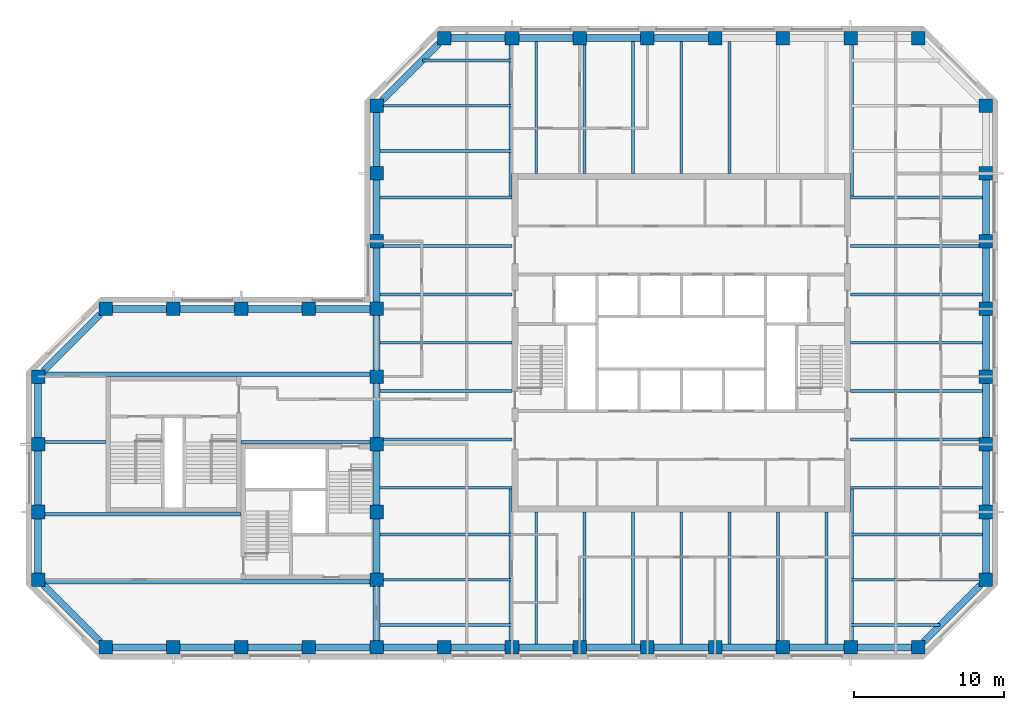
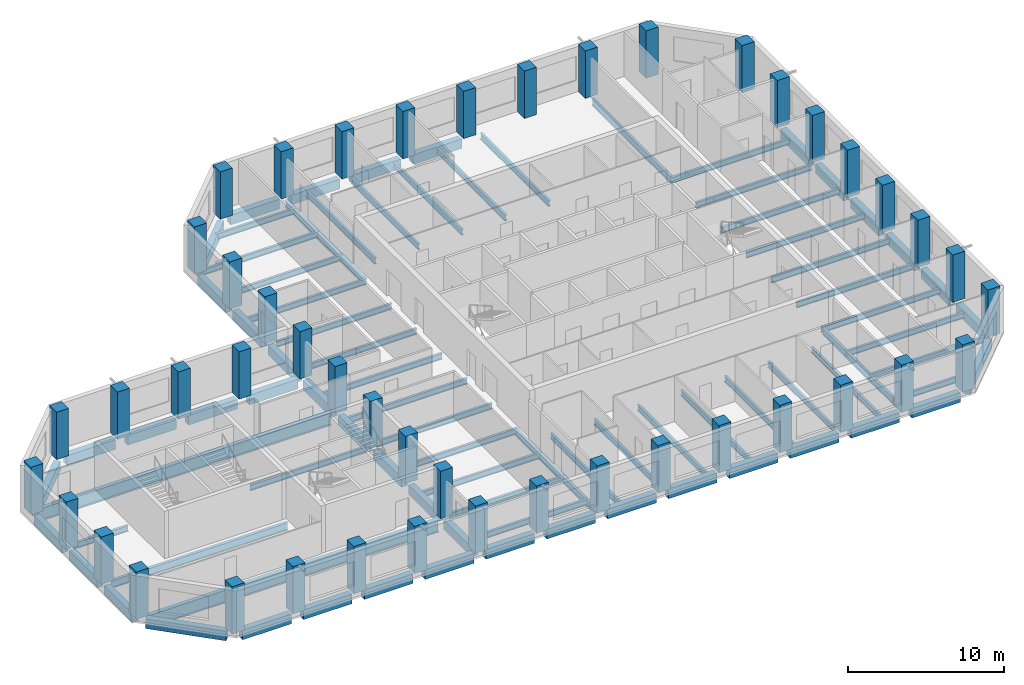
# One storey, part 1 of 9: 85 beams, 45 columns.
"""IFC4 building model written with IfcOpenShell, lengths in metres."""

import ifcopenshell
import ifcopenshell.guid

model = None  # the IFC model being written
_history = None  # IfcOwnerHistory: only IFC2X3 demands one
_inside = {}  # id of a spatial element -> (the spatial element, [elements in it])
_under = {}  # id of a project, library or spatial element -> (it, [spatial elements below it])
_declared = {}  # id of a project -> (the project, [libraries it declares])
_typed = {}  # id of a type object -> (the type object, [elements of that type])
_made_of = {}  # id of a material, layer set ... -> (it, [elements and type objects made of it])


def new_model(schema):
    """Start an empty IFC model of exactly this schema.

    Asked for "IFC4X3", IfcOpenShell would pick the latest addendum, in which some entities
    have other attributes; the version numbers below select the first issue.
    IFC2X3 requires an IfcOwnerHistory on every rooted entity: one is made here for all.
    """
    global model, _history
    if schema == "IFC4X3":
        model = ifcopenshell.file(schema_version=(4, 3, 0, 0))
    else:
        model = ifcopenshell.file(schema=schema)
    _inside.clear()
    _under.clear()
    _declared.clear()
    _typed.clear()
    _made_of.clear()
    _history = None
    if model.schema == "IFC2X3":
        org = make("IfcOrganization", Name="unknown")
        user = make(
            "IfcPersonAndOrganization",
            ThePerson=make("IfcPerson", FamilyName="unknown"),
            TheOrganization=org,
        )
        app = make(
            "IfcApplication",
            ApplicationDeveloper=org,
            Version="unknown",
            ApplicationFullName="unknown",
            ApplicationIdentifier="unknown",
        )
        _history = make(
            "IfcOwnerHistory",
            OwningUser=user,
            OwningApplication=app,
            ChangeAction="ADDED",
            CreationDate=0,
        )
    return model


def make(cls, **values):
    """One entity of the class cls with the attributes given. An attribute that is None is left unset."""
    return model.create_entity(
        cls, **{name: value for name, value in values.items() if value is not None}
    )


def rooted(cls, **values):
    """An entity with a GlobalId (a new one), such as an element, a storey or a relation."""
    return make(cls, GlobalId=ifcopenshell.guid.new(), OwnerHistory=_history, **values)


def si_unit(unit_type, name, prefix=None):
    """IfcSIUnit, for example si_unit("LENGTHUNIT", "METRE", prefix="MILLI")."""
    return make("IfcSIUnit", UnitType=unit_type, Prefix=prefix, Name=name)


def assignment(units):
    """IfcUnitAssignment: the units of a project."""
    return None if units is None else make("IfcUnitAssignment", Units=units)


def point(xyz):
    """IfcCartesianPoint."""
    return None if xyz is None else make("IfcCartesianPoint", Coordinates=xyz)


def direction(xyz):
    """IfcDirection."""
    return None if xyz is None else make("IfcDirection", DirectionRatios=xyz)


def frame(location, z_axis=None, x_axis=None):
    """IfcAxis2Placement3D, a coordinate frame: its origin and axes. An axis left out is left unset."""
    return make(
        "IfcAxis2Placement3D",
        Location=point(location),
        Axis=direction(z_axis),
        RefDirection=direction(x_axis),
    )


def frame_2d(location, x_axis=None):
    """IfcAxis2Placement2D, a coordinate frame in the plane: its origin and x axis."""
    return make(
        "IfcAxis2Placement2D", Location=point(location), RefDirection=direction(x_axis)
    )


def origin():
    """The frame at (0, 0, 0) with its axes left unset."""
    return frame((0.0, 0.0, 0.0))


def origin_2d():
    """The frame at (0, 0) in the plane with its x axis left unset."""
    return frame_2d((0.0, 0.0))


def place(relative_to, where):
    """IfcLocalPlacement: puts the frame where relative to a parent placement (None: the world)."""
    return make(
        "IfcLocalPlacement", PlacementRelTo=relative_to, RelativePlacement=where
    )


def context(
    kind, dimensions, precision=None, world=None, true_north=None, identifier=None
):
    """IfcGeometricRepresentationContext, for example the 3D "Model" context."""
    return make(
        "IfcGeometricRepresentationContext",
        ContextIdentifier=identifier,
        ContextType=kind,
        CoordinateSpaceDimension=dimensions,
        Precision=precision,
        WorldCoordinateSystem=world,
        TrueNorth=true_north,
    )


def subcontext(parent, identifier, kind, view, scale=None):
    """IfcGeometricRepresentationSubContext, for example "Body" below "Model"."""
    return make(
        "IfcGeometricRepresentationSubContext",
        ContextIdentifier=identifier,
        ContextType=kind,
        ParentContext=parent,
        TargetScale=scale,
        TargetView=view,
    )


def project(units=None, contexts=None):
    """IfcProject with its units and contexts."""
    return rooted(
        "IfcProject",
        Name="project",
        RepresentationContexts=contexts,
        UnitsInContext=assignment(units),
    )


def spatial(cls, under=None, at=None, **own):
    """A site, building, storey or space (cls), placed at a placement, below another one or the project."""
    s = rooted(cls, ObjectPlacement=at, **own)
    if under is not None:
        _under.setdefault(under.id(), (under, []))[1].append(s)
    return s


def profile(cls, at=None, kind="AREA", **sizes):
    """A parametric profile (cls). Its sizes go by their IFC names, for example OverallWidth=200.0."""
    return make(cls, ProfileType=kind, Position=at, **sizes)


def rectangle(**sizes):
    """IfcRectangleProfileDef."""
    return profile("IfcRectangleProfileDef", **sizes)


def i_section(**sizes):
    """IfcIShapeProfileDef."""
    return profile("IfcIShapeProfileDef", **sizes)


def extrude(swept, where, along, depth):
    """IfcExtrudedAreaSolid: the profile swept, set in the frame where, extruded along a direction by depth."""
    return make(
        "IfcExtrudedAreaSolid",
        SweptArea=swept,
        Position=where,
        ExtrudedDirection=direction(along),
        Depth=depth,
    )


def shape(context_of_items, identifier, shape_type, items):
    """IfcShapeRepresentation: the items that make up one representation, for example the "Body"."""
    return make(
        "IfcShapeRepresentation",
        ContextOfItems=context_of_items,
        RepresentationIdentifier=identifier,
        RepresentationType=shape_type,
        Items=items,
    )


def material(Name=None, Category=None):
    """IfcMaterial."""
    return make("IfcMaterial", Name=Name, Category=Category)


def material_profile(
    of_material, cross_section, Name=None, Category=None, Priority=None
):
    """IfcMaterialProfile: a cross section and its material."""
    return make(
        "IfcMaterialProfile",
        Name=Name,
        Material=of_material,
        Profile=cross_section,
        Priority=Priority,
        Category=Category,
    )


def profile_set(profiles, Name=None, composite=None):
    """IfcMaterialProfileSet."""
    return make(
        "IfcMaterialProfileSet",
        Name=Name,
        MaterialProfiles=profiles,
        CompositeProfile=composite,
    )


def made_of(thing, what):
    """Note that an element or type object is made of a material, layer set ...; save() writes the relation."""
    if what is not None:
        _made_of.setdefault(what.id(), (what, []))[1].append(thing)
    return thing


def type_object(cls, material=None, **own):
    """A type object (cls), such as IfcWallType, which elements share."""
    return made_of(rooted(cls, **own), material)


def element(
    cls,
    number,
    at=None,
    inside=None,
    cuts=None,
    type_object=None,
    material=None,
    context=None,
    identifier="Body",
    shape_type=None,
    held_by="IfcProductDefinitionShape",
    body=None,
    shapes=None,
    **own,
):
    """One element of the class cls, such as IfcWall. Its Tag is "e" and its number.

    at: its placement. inside: the storey or other place that contains it. cuts: it is an
    opening in that element (IfcRelVoidsElement). A single representation is given by context,
    identifier, shape_type and body (its items); several are given by shapes. held_by: the class
    of the entity that holds the representations. save() writes the other relations.
    """
    e = rooted(cls, Tag="e%d" % number, ObjectPlacement=at, **own)
    if body is not None:
        shapes = [shape(context, identifier, shape_type, body)]
    if shapes is not None:
        e.Representation = make(held_by, Representations=shapes)
    if inside is not None:
        _inside.setdefault(inside.id(), (inside, []))[1].append(e)
    if cuts is not None:
        rooted(
            "IfcRelVoidsElement", RelatingBuildingElement=cuts, RelatedOpeningElement=e
        )
    if type_object is not None:
        _typed.setdefault(type_object.id(), (type_object, []))[1].append(e)
    return made_of(e, material)


def aggregate(whole, parts):
    """IfcRelAggregates: a whole, such as a stair, and the parts it consists of."""
    return rooted("IfcRelAggregates", RelatingObject=whole, RelatedObjects=parts)


def save(model, path):
    """Write the relations noted so far, then the file.

    IfcRelAggregates (storeys below a building ...), IfcRelContainedInSpatialStructure (elements
    in a storey), IfcRelDefinesByType, IfcRelAssociatesMaterial and IfcRelDeclares: one each for
    every whole, place, type object, material and project.
    """
    for whole, parts in _under.values():
        aggregate(whole, parts)
    for where, things in _inside.values():
        rooted(
            "IfcRelContainedInSpatialStructure",
            RelatedElements=things,
            RelatingStructure=where,
        )
    for kind, things in _typed.values():
        rooted("IfcRelDefinesByType", RelatedObjects=things, RelatingType=kind)
    for what, things in _made_of.values():
        rooted("IfcRelAssociatesMaterial", RelatedObjects=things, RelatingMaterial=what)
    for by, libraries in _declared.values():
        rooted("IfcRelDeclares", RelatingContext=by, RelatedDefinitions=libraries)
    model.write(path)


model = new_model("IFC4")

# Units and contexts
model_context = context("Model", 3, precision=1e-05, world=origin(), true_north=direction((0.0, 1.0)))
body_context = subcontext(model_context, "Body", "Model", "MODEL_VIEW")
ifc_project = project(units=[si_unit("LENGTHUNIT", "METRE"), si_unit("AREAUNIT", "SQUARE_METRE"), si_unit("VOLUMEUNIT", "CUBIC_METRE"), si_unit("PLANEANGLEUNIT", "RADIAN"), si_unit("MASSUNIT", "GRAM", prefix="KILO")], contexts=[model_context])

# Site, building, storey
site_placement = place(None, origin())
site = spatial("IfcSite", under=ifc_project, at=site_placement, CompositionType="ELEMENT")
building_placement = place(site_placement, origin())
building = spatial("IfcBuilding", under=site, at=building_placement, Name="Quoin Convention Tower", CompositionType="ELEMENT")
storey_placement = place(building_placement, frame((0.0, 0.0, 199.5)))
storey = spatial("IfcBuildingStorey", under=building, at=storey_placement, Name="L52", CompositionType="ELEMENT", Elevation=199.5)

# Columns
ifc_material_1 = material(Name="Concrete C50", Category="concrete")
ifc_material_profile_1 = material_profile(ifc_material_1, rectangle(XDim=0.89990234375, YDim=0.89990234375, at=origin_2d()), Name="RC 900x900")
ifc_profile_set_1 = profile_set([ifc_material_profile_1], Name="Concrete C50")
column_type = type_object("IfcColumnType", Name="RC 900x900 C50", PredefinedType="COLUMN", material=ifc_profile_set_1)
for number, where, z_axis, x_axis, name in (
    (1, (18.0, 40.5, 0.0), (0.0, 0.0, 1.0), (1.0, 0.0, 0.0), "col-L52-18000_40500"),
    (2, (22.5, 40.5, 0.0), (0.0, 0.0, 1.0), (1.0, 0.0, 0.0), "col-L52-22500_40500"),
    (3, (27.0, 40.5, 0.0), (0.0, 0.0, 1.0), (1.0, 0.0, 0.0), "col-L52-27000_40500"),
    (4, (31.5, 40.5, 0.0), (0.0, 0.0, 1.0), (1.0, 0.0, 0.0), "col-L52-31500_40500"),
    (5, (36.0, 40.5, 0.0), (0.0, 0.0, 1.0), (1.0, 0.0, 0.0), "col-L52-36000_40500"),
    (6, (40.5, 40.5, 0.0), (0.0, 0.0, 1.0), (1.0, 0.0, 0.0), "col-L52-40500_40500"),
    (7, (45.0, 40.5, 0.0), (0.0, 0.0, 1.0), (1.0, 0.0, 0.0), "col-L52-45000_40500"),
    (8, (49.5, 40.5, 0.0), (0.0, 0.0, 1.0), (1.0, 0.0, 0.0), "col-L52-49500_40500"),
    (9, (54.0, 40.5, 0.0), (0.0, 0.0, 1.0), (1.0, 0.0, 0.0), "col-L52-54000_40500"),
    (10, (58.5, 40.5, 0.0), (0.0, 0.0, 1.0), (1.0, 0.0, 0.0), "col-L52-58500_40500"),
    (11, (63.0, 40.5, 0.0), (0.0, 0.0, 1.0), (1.0, 0.0, 0.0), "col-L52-63000_40500"),
    (12, (67.5, 40.5, 0.0), (0.0, 0.0, 1.0), (1.0, 0.0, 0.0), "col-L52-67500_40500"),
    (13, (72.0, 40.5, 0.0), (0.0, 0.0, 1.0), (1.0, 0.0, 0.0), "col-L52-72000_40500"),
    (14, (13.5, 45.0, 0.0), (0.0, 0.0, 1.0), (1.0, 0.0, 0.0), "col-L52-13500_45000"),
    (15, (36.0, 45.0, 0.0), (0.0, 0.0, 1.0), (1.0, 0.0, 0.0), "web-L52-36000_45000"),
    (16, (76.5, 45.0, 0.0), (0.0, 0.0, 1.0), (1.0, 0.0, 0.0), "col-L52-76500_45000"),
    (17, (13.5, 49.5, 0.0), (0.0, 0.0, 1.0), (1.0, 0.0, 0.0), "col-L52-13500_49500"),
    (18, (36.0, 49.5, 0.0), (0.0, 0.0, 1.0), (1.0, 0.0, 0.0), "web-L52-36000_49500"),
    (19, (76.5, 49.5, 0.0), (0.0, 0.0, 1.0), (1.0, 0.0, 0.0), "col-L52-76500_49500"),
    (20, (13.5, 54.0, 0.0), (0.0, 0.0, 1.0), (1.0, 0.0, 0.0), "col-L52-13500_54000"),
    (21, (36.0, 54.0, 0.0), (0.0, 0.0, 1.0), (1.0, 0.0, 0.0), "web-L52-36000_54000"),
    (22, (76.5, 54.0, 0.0), (0.0, 0.0, 1.0), (1.0, 0.0, 0.0), "col-L52-76500_54000"),
    (23, (13.5, 58.5, 0.0), (0.0, 0.0, 1.0), (1.0, 0.0, 0.0), "col-L52-13500_58500"),
    (24, (36.0, 58.5, 0.0), (0.0, 0.0, 1.0), (1.0, 0.0, 0.0), "web-L52-36000_58500"),
    (25, (76.5, 58.5, 0.0), (0.0, 0.0, 1.0), (1.0, 0.0, 0.0), "col-L52-76500_58500"),
    (26, (18.0, 63.0, 0.0), (0.0, 0.0, 1.0), (1.0, 0.0, 0.0), "col-L52-18000_63000"),
    (27, (22.5, 63.0, 0.0), (0.0, 0.0, 1.0), (1.0, 0.0, 0.0), "col-L52-22500_63000"),
    (28, (27.0, 63.0, 0.0), (0.0, 0.0, 1.0), (1.0, 0.0, 0.0), "col-L52-27000_63000"),
    (29, (31.5, 63.0, 0.0), (0.0, 0.0, 1.0), (1.0, 0.0, 0.0), "col-L52-31500_63000"),
    (30, (36.0, 63.0, 0.0), (0.0, 0.0, 1.0), (1.0, 0.0, 0.0), "col-L52-36000_63000"),
    (31, (76.5, 63.0, 0.0), (0.0, 0.0, 1.0), (1.0, 0.0, 0.0), "col-L52-76500_63000"),
    (32, (36.0, 67.5, 0.0), (0.0, 0.0, 1.0), (1.0, 0.0, 0.0), "col-L52-36000_67500"),
    (33, (76.5, 67.5, 0.0), (0.0, 0.0, 1.0), (1.0, 0.0, 0.0), "col-L52-76500_67500"),
    (34, (36.0, 72.0, 0.0), (0.0, 0.0, 1.0), (1.0, 0.0, 0.0), "col-L52-36000_72000"),
    (35, (76.5, 72.0, 0.0), (0.0, 0.0, 1.0), (1.0, 0.0, 0.0), "col-L52-76500_72000"),
    (36, (36.0, 76.5, 0.0), (0.0, 0.0, 1.0), (1.0, 0.0, 0.0), "col-L52-36000_76500"),
    (37, (76.5, 76.5, 0.0), (0.0, 0.0, 1.0), (1.0, 0.0, 0.0), "col-L52-76500_76500"),
    (38, (40.5, 81.0, 0.0), (0.0, 0.0, 1.0), (1.0, 0.0, 0.0), "col-L52-40500_81000"),
    (39, (45.0, 81.0, 0.0), (0.0, 0.0, 1.0), (1.0, 0.0, 0.0), "col-L52-45000_81000"),
    (40, (49.5, 81.0, 0.0), (0.0, 0.0, 1.0), (1.0, 0.0, 0.0), "col-L52-49500_81000"),
    (41, (54.0, 81.0, 0.0), (0.0, 0.0, 1.0), (1.0, 0.0, 0.0), "col-L52-54000_81000"),
    (42, (58.5, 81.0, 0.0), (0.0, 0.0, 1.0), (1.0, 0.0, 0.0), "col-L52-58500_81000"),
    (43, (63.0, 81.0, 0.0), (0.0, 0.0, 1.0), (1.0, 0.0, 0.0), "col-L52-63000_81000"),
    (44, (67.5, 81.0, 0.0), (0.0, 0.0, 1.0), (1.0, 0.0, 0.0), "col-L52-67500_81000"),
    (45, (72.0, 81.0, 0.0), (0.0, 0.0, 1.0), (1.0, 0.0, 0.0), "col-L52-72000_81000"),
):
    element("IfcColumn", number, at=place(storey_placement, frame(where, z_axis=z_axis, x_axis=x_axis)), inside=storey, type_object=column_type, Name=name, PredefinedType="COLUMN", context=body_context, shape_type="SweptSolid", body=[
        extrude(rectangle(XDim=0.89990234375, YDim=0.89990234375, at=origin_2d()), origin(), (0.0, 0.0, 1.0), 3.699951171875),
    ])

# Beams
ifc_material_2 = material(Name="Steel Grade 300", Category="steel")
ifc_material_profile_2 = material_profile(ifc_material_2, i_section(OverallWidth=0.300048828125, OverallDepth=1.0, WebThickness=0.01611328125, FlangeThickness=0.02001953125, at=origin_2d()), Name="1000WB215")
ifc_profile_set_2 = profile_set([ifc_material_profile_2], Name="Steel Grade 300")
beam_type_1 = type_object("IfcBeamType", Name="1000WB215", PredefinedType="BEAM", material=ifc_profile_set_2)
for number, where, z_axis, x_axis, name in (
    (46, (13.949951171875, 44.85009765625, -0.64990234375), (1.0, 0.0, 0.0), (0.0, 1.0, 0.0), "gir-L52-ST2-1-0"),
    (47, (13.949951171875, 58.64990234375, -0.64990234375), (1.0, 0.0, 0.0), (0.0, 1.0, 0.0), "gir-L52-ST2-4-0"),
):
    element("IfcBeam", number, at=place(storey_placement, frame(where, z_axis=z_axis, x_axis=x_axis)), inside=storey, type_object=beam_type_1, Name=name, PredefinedType="BEAM", context=body_context, shape_type="SweptSolid", body=[
        extrude(i_section(OverallWidth=0.300048828125, OverallDepth=1.0, WebThickness=0.01611328125, FlangeThickness=0.02001953125, at=origin_2d()), origin(), (0.0, 0.0, 1.0), 21.60009765625),
    ])
ifc_material_profile_3 = material_profile(ifc_material_2, i_section(OverallWidth=0.18994140625, OverallDepth=0.4541015625, WebThickness=0.008544921875, FlangeThickness=0.0126953125, FilletRadius=0.011474609375, at=origin_2d()), Name="460UB67.1")
ifc_profile_set_3 = profile_set([ifc_material_profile_3], Name="Steel Grade 300")
beam_type_2 = type_object("IfcBeamType", Name="460UB67.1", PredefinedType="BEAM", material=ifc_profile_set_3)
beam_1_placement = place(storey_placement, frame((36.22509765625, 51.107177734375, -0.376953125), z_axis=(1.0, 0.0, 0.0), x_axis=(0.0, 1.0, 0.0)))
element("IfcBeam", 48, at=beam_1_placement, inside=storey, type_object=beam_type_2, Name="bm-L52-T1W0", PredefinedType="BEAM", context=body_context, shape_type="SweptSolid", body=[
    extrude(i_section(OverallWidth=0.18994140625, OverallDepth=0.4541015625, WebThickness=0.008544921875, FlangeThickness=0.0126953125, FilletRadius=0.011474609375, at=origin_2d()), origin(), (0.0, 0.0, 1.0), 8.77490234375),
])
beam_2_placement = place(storey_placement, frame((36.449951171875, 54.3212890625, -0.376953125), z_axis=(1.0, 0.0, 0.0), x_axis=(0.0, 1.0, 0.0)))
element("IfcBeam", 49, at=beam_2_placement, inside=storey, type_object=beam_type_2, Name="bm-L52-T1W1", PredefinedType="BEAM", context=body_context, shape_type="SweptSolid", body=[
    extrude(i_section(OverallWidth=0.18994140625, OverallDepth=0.4541015625, WebThickness=0.008544921875, FlangeThickness=0.0126953125, FilletRadius=0.011474609375, at=origin_2d()), origin(), (0.0, 0.0, 1.0), 8.550048828125),
])
for number, where, z_axis, x_axis, name in (
    (50, (36.22509765625, 57.53564453125, -0.376953125), (1.0, 0.0, 0.0), (0.0, 1.0, 0.0), "bm-L52-T1W2"),
    (51, (36.22509765625, 60.75, -0.376953125), (1.0, 0.0, 0.0), (0.0, 1.0, 0.0), "bm-L52-T1W3"),
    (52, (36.22509765625, 63.96435546875, -0.376953125), (1.0, 0.0, 0.0), (0.0, 1.0, 0.0), "bm-L52-T1W4"),
):
    element("IfcBeam", number, at=place(storey_placement, frame(where, z_axis=z_axis, x_axis=x_axis)), inside=storey, type_object=beam_type_2, Name=name, PredefinedType="BEAM", context=body_context, shape_type="SweptSolid", body=[
        extrude(i_section(OverallWidth=0.18994140625, OverallDepth=0.4541015625, WebThickness=0.008544921875, FlangeThickness=0.0126953125, FilletRadius=0.011474609375, at=origin_2d()), origin(), (0.0, 0.0, 1.0), 8.77490234375),
    ])
beam_3_placement = place(storey_placement, frame((36.449951171875, 67.1787109375, -0.376953125), z_axis=(1.0, 0.0, 0.0), x_axis=(0.0, 1.0, 0.0)))
element("IfcBeam", 53, at=beam_3_placement, inside=storey, type_object=beam_type_2, Name="bm-L52-T1W5", PredefinedType="BEAM", context=body_context, shape_type="SweptSolid", body=[
    extrude(i_section(OverallWidth=0.18994140625, OverallDepth=0.4541015625, WebThickness=0.008544921875, FlangeThickness=0.0126953125, FilletRadius=0.011474609375, at=origin_2d()), origin(), (0.0, 0.0, 1.0), 8.550048828125),
])
for number, where, z_axis, x_axis, name in (
    (54, (36.22509765625, 70.392822265625, -0.376953125), (1.0, 0.0, 0.0), (0.0, 1.0, 0.0), "bm-L52-T1W6"),
    (55, (67.5, 51.107177734375, -0.376953125), (1.0, 0.0, 0.0), (0.0, 1.0, 0.0), "bm-L52-T1E0"),
):
    element("IfcBeam", number, at=place(storey_placement, frame(where, z_axis=z_axis, x_axis=x_axis)), inside=storey, type_object=beam_type_2, Name=name, PredefinedType="BEAM", context=body_context, shape_type="SweptSolid", body=[
        extrude(i_section(OverallWidth=0.18994140625, OverallDepth=0.4541015625, WebThickness=0.008544921875, FlangeThickness=0.0126953125, FilletRadius=0.011474609375, at=origin_2d()), origin(), (0.0, 0.0, 1.0), 8.77490234375),
    ])
beam_4_placement = place(storey_placement, frame((67.5, 54.3212890625, -0.376953125), z_axis=(1.0, 0.0, 0.0), x_axis=(0.0, 1.0, 0.0)))
element("IfcBeam", 56, at=beam_4_placement, inside=storey, type_object=beam_type_2, Name="bm-L52-T1E1", PredefinedType="BEAM", context=body_context, shape_type="SweptSolid", body=[
    extrude(i_section(OverallWidth=0.18994140625, OverallDepth=0.4541015625, WebThickness=0.008544921875, FlangeThickness=0.0126953125, FilletRadius=0.011474609375, at=origin_2d()), origin(), (0.0, 0.0, 1.0), 8.550048828125),
])
for number, where, z_axis, x_axis, name in (
    (57, (67.5, 57.53564453125, -0.376953125), (1.0, 0.0, 0.0), (0.0, 1.0, 0.0), "bm-L52-T1E2"),
    (58, (67.5, 60.75, -0.376953125), (1.0, 0.0, 0.0), (0.0, 1.0, 0.0), "bm-L52-T1E3"),
    (59, (67.5, 63.96435546875, -0.376953125), (1.0, 0.0, 0.0), (0.0, 1.0, 0.0), "bm-L52-T1E4"),
):
    element("IfcBeam", number, at=place(storey_placement, frame(where, z_axis=z_axis, x_axis=x_axis)), inside=storey, type_object=beam_type_2, Name=name, PredefinedType="BEAM", context=body_context, shape_type="SweptSolid", body=[
        extrude(i_section(OverallWidth=0.18994140625, OverallDepth=0.4541015625, WebThickness=0.008544921875, FlangeThickness=0.0126953125, FilletRadius=0.011474609375, at=origin_2d()), origin(), (0.0, 0.0, 1.0), 8.77490234375),
    ])
beam_5_placement = place(storey_placement, frame((67.5, 67.1787109375, -0.376953125), z_axis=(1.0, 0.0, 0.0), x_axis=(0.0, 1.0, 0.0)))
element("IfcBeam", 60, at=beam_5_placement, inside=storey, type_object=beam_type_2, Name="bm-L52-T1E5", PredefinedType="BEAM", context=body_context, shape_type="SweptSolid", body=[
    extrude(i_section(OverallWidth=0.18994140625, OverallDepth=0.4541015625, WebThickness=0.008544921875, FlangeThickness=0.0126953125, FilletRadius=0.011474609375, at=origin_2d()), origin(), (0.0, 0.0, 1.0), 8.550048828125),
])
for number, where, z_axis, x_axis, name in (
    (61, (67.5, 70.392822265625, -0.376953125), (1.0, 0.0, 0.0), (0.0, 1.0, 0.0), "bm-L52-T1E6"),
    (62, (46.607177734375, 40.72509765625, -0.376953125), (0.0, 1.0, 0.0), (-1.0, 0.0, 0.0), "bm-L52-T1S0"),
):
    element("IfcBeam", number, at=place(storey_placement, frame(where, z_axis=z_axis, x_axis=x_axis)), inside=storey, type_object=beam_type_2, Name=name, PredefinedType="BEAM", context=body_context, shape_type="SweptSolid", body=[
        extrude(i_section(OverallWidth=0.18994140625, OverallDepth=0.4541015625, WebThickness=0.008544921875, FlangeThickness=0.0126953125, FilletRadius=0.011474609375, at=origin_2d()), origin(), (0.0, 0.0, 1.0), 8.77490234375),
    ])
beam_6_placement = place(storey_placement, frame((49.8212890625, 40.949951171875, -0.376953125), z_axis=(0.0, 1.0, 0.0), x_axis=(-1.0, 0.0, 0.0)))
element("IfcBeam", 63, at=beam_6_placement, inside=storey, type_object=beam_type_2, Name="bm-L52-T1S1", PredefinedType="BEAM", context=body_context, shape_type="SweptSolid", body=[
    extrude(i_section(OverallWidth=0.18994140625, OverallDepth=0.4541015625, WebThickness=0.008544921875, FlangeThickness=0.0126953125, FilletRadius=0.011474609375, at=origin_2d()), origin(), (0.0, 0.0, 1.0), 8.550048828125),
])
for number, where, z_axis, x_axis, name in (
    (64, (53.03564453125, 40.72509765625, -0.376953125), (0.0, 1.0, 0.0), (-1.0, 0.0, 0.0), "bm-L52-T1S2"),
    (65, (56.25, 40.72509765625, -0.376953125), (0.0, 1.0, 0.0), (-1.0, 0.0, 0.0), "bm-L52-T1S3"),
    (66, (59.46435546875, 40.72509765625, -0.376953125), (0.0, 1.0, 0.0), (-1.0, 0.0, 0.0), "bm-L52-T1S4"),
):
    element("IfcBeam", number, at=place(storey_placement, frame(where, z_axis=z_axis, x_axis=x_axis)), inside=storey, type_object=beam_type_2, Name=name, PredefinedType="BEAM", context=body_context, shape_type="SweptSolid", body=[
        extrude(i_section(OverallWidth=0.18994140625, OverallDepth=0.4541015625, WebThickness=0.008544921875, FlangeThickness=0.0126953125, FilletRadius=0.011474609375, at=origin_2d()), origin(), (0.0, 0.0, 1.0), 8.77490234375),
    ])
beam_7_placement = place(storey_placement, frame((62.6787109375, 40.949951171875, -0.376953125), z_axis=(0.0, 1.0, 0.0), x_axis=(-1.0, 0.0, 0.0)))
element("IfcBeam", 67, at=beam_7_placement, inside=storey, type_object=beam_type_2, Name="bm-L52-T1S5", PredefinedType="BEAM", context=body_context, shape_type="SweptSolid", body=[
    extrude(i_section(OverallWidth=0.18994140625, OverallDepth=0.4541015625, WebThickness=0.008544921875, FlangeThickness=0.0126953125, FilletRadius=0.011474609375, at=origin_2d()), origin(), (0.0, 0.0, 1.0), 8.550048828125),
])
for number, where, z_axis, x_axis, name in (
    (68, (65.892822265625, 40.72509765625, -0.376953125), (0.0, 1.0, 0.0), (-1.0, 0.0, 0.0), "bm-L52-T1S6"),
    (69, (46.607177734375, 72.0, -0.376953125), (0.0, 1.0, 0.0), (-1.0, 0.0, 0.0), "bm-L52-T1N0"),
):
    element("IfcBeam", number, at=place(storey_placement, frame(where, z_axis=z_axis, x_axis=x_axis)), inside=storey, type_object=beam_type_2, Name=name, PredefinedType="BEAM", context=body_context, shape_type="SweptSolid", body=[
        extrude(i_section(OverallWidth=0.18994140625, OverallDepth=0.4541015625, WebThickness=0.008544921875, FlangeThickness=0.0126953125, FilletRadius=0.011474609375, at=origin_2d()), origin(), (0.0, 0.0, 1.0), 8.77490234375),
    ])
beam_8_placement = place(storey_placement, frame((49.8212890625, 72.0, -0.376953125), z_axis=(0.0, 1.0, 0.0), x_axis=(-1.0, 0.0, 0.0)))
element("IfcBeam", 70, at=beam_8_placement, inside=storey, type_object=beam_type_2, Name="bm-L52-T1N1", PredefinedType="BEAM", context=body_context, shape_type="SweptSolid", body=[
    extrude(i_section(OverallWidth=0.18994140625, OverallDepth=0.4541015625, WebThickness=0.008544921875, FlangeThickness=0.0126953125, FilletRadius=0.011474609375, at=origin_2d()), origin(), (0.0, 0.0, 1.0), 8.550048828125),
])
for number, where, z_axis, x_axis, name in (
    (71, (53.03564453125, 72.0, -0.376953125), (0.0, 1.0, 0.0), (-1.0, 0.0, 0.0), "bm-L52-T1N2"),
    (72, (56.25, 72.0, -0.376953125), (0.0, 1.0, 0.0), (-1.0, 0.0, 0.0), "bm-L52-T1N3"),
    (73, (59.46435546875, 72.0, -0.376953125), (0.0, 1.0, 0.0), (-1.0, 0.0, 0.0), "bm-L52-T1N4"),
    (74, (36.22509765625, 42.0, -0.376953125), (1.0, 0.0, 0.0), (0.0, 1.0, 0.0), "bm-L52-T1SW0"),
):
    element("IfcBeam", number, at=place(storey_placement, frame(where, z_axis=z_axis, x_axis=x_axis)), inside=storey, type_object=beam_type_2, Name=name, PredefinedType="BEAM", context=body_context, shape_type="SweptSolid", body=[
        extrude(i_section(OverallWidth=0.18994140625, OverallDepth=0.4541015625, WebThickness=0.008544921875, FlangeThickness=0.0126953125, FilletRadius=0.011474609375, at=origin_2d()), origin(), (0.0, 0.0, 1.0), 8.77490234375),
    ])
beam_9_placement = place(storey_placement, frame((36.449951171875, 45.0, -0.376953125), z_axis=(1.0, 0.0, 0.0), x_axis=(0.0, 1.0, 0.0)))
element("IfcBeam", 75, at=beam_9_placement, inside=storey, type_object=beam_type_2, Name="bm-L52-T1SW1", PredefinedType="BEAM", context=body_context, shape_type="SweptSolid", body=[
    extrude(i_section(OverallWidth=0.18994140625, OverallDepth=0.4541015625, WebThickness=0.008544921875, FlangeThickness=0.0126953125, FilletRadius=0.011474609375, at=origin_2d()), origin(), (0.0, 0.0, 1.0), 8.550048828125),
])
beam_10_placement = place(storey_placement, frame((36.22509765625, 48.0, -0.376953125), z_axis=(1.0, 0.0, 0.0), x_axis=(0.0, 1.0, 0.0)))
element("IfcBeam", 76, at=beam_10_placement, inside=storey, type_object=beam_type_2, Name="bm-L52-T1SW2", PredefinedType="BEAM", context=body_context, shape_type="SweptSolid", body=[
    extrude(i_section(OverallWidth=0.18994140625, OverallDepth=0.4541015625, WebThickness=0.008544921875, FlangeThickness=0.0126953125, FilletRadius=0.011474609375, at=origin_2d()), origin(), (0.0, 0.0, 1.0), 8.77490234375),
])
beam_11_placement = place(storey_placement, frame((67.5, 42.0, -0.376953125), z_axis=(1.0, 0.0, 0.0), x_axis=(0.0, 1.0, 0.0)))
element("IfcBeam", 77, at=beam_11_placement, inside=storey, type_object=beam_type_2, Name="bm-L52-T1SE0", PredefinedType="BEAM", context=body_context, shape_type="SweptSolid", body=[
    extrude(i_section(OverallWidth=0.18994140625, OverallDepth=0.4541015625, WebThickness=0.008544921875, FlangeThickness=0.0126953125, FilletRadius=0.011474609375, at=origin_2d()), origin(), (0.0, 0.0, 1.0), 5.935791015625),
])
beam_12_placement = place(storey_placement, frame((67.5, 45.0, -0.376953125), z_axis=(1.0, 0.0, 0.0), x_axis=(0.0, 1.0, 0.0)))
element("IfcBeam", 78, at=beam_12_placement, inside=storey, type_object=beam_type_2, Name="bm-L52-T1SE1", PredefinedType="BEAM", context=body_context, shape_type="SweptSolid", body=[
    extrude(i_section(OverallWidth=0.18994140625, OverallDepth=0.4541015625, WebThickness=0.008544921875, FlangeThickness=0.0126953125, FilletRadius=0.011474609375, at=origin_2d()), origin(), (0.0, 0.0, 1.0), 8.550048828125),
])
beam_13_placement = place(storey_placement, frame((67.5, 48.0, -0.376953125), z_axis=(1.0, 0.0, 0.0), x_axis=(0.0, 1.0, 0.0)))
element("IfcBeam", 79, at=beam_13_placement, inside=storey, type_object=beam_type_2, Name="bm-L52-T1SE2", PredefinedType="BEAM", context=body_context, shape_type="SweptSolid", body=[
    extrude(i_section(OverallWidth=0.18994140625, OverallDepth=0.4541015625, WebThickness=0.008544921875, FlangeThickness=0.0126953125, FilletRadius=0.011474609375, at=origin_2d()), origin(), (0.0, 0.0, 1.0), 8.77490234375),
])
beam_14_placement = place(storey_placement, frame((39.064208984375, 79.5, -0.376953125), z_axis=(1.0, 0.0, 0.0), x_axis=(0.0, 1.0, 0.0)))
element("IfcBeam", 80, at=beam_14_placement, inside=storey, type_object=beam_type_2, Name="bm-L52-T1NW0", PredefinedType="BEAM", context=body_context, shape_type="SweptSolid", body=[
    extrude(i_section(OverallWidth=0.18994140625, OverallDepth=0.4541015625, WebThickness=0.008544921875, FlangeThickness=0.0126953125, FilletRadius=0.011474609375, at=origin_2d()), origin(), (0.0, 0.0, 1.0), 5.935791015625),
])
beam_15_placement = place(storey_placement, frame((36.449951171875, 76.5, -0.376953125), z_axis=(1.0, 0.0, 0.0), x_axis=(0.0, 1.0, 0.0)))
element("IfcBeam", 81, at=beam_15_placement, inside=storey, type_object=beam_type_2, Name="bm-L52-T1NW1", PredefinedType="BEAM", context=body_context, shape_type="SweptSolid", body=[
    extrude(i_section(OverallWidth=0.18994140625, OverallDepth=0.4541015625, WebThickness=0.008544921875, FlangeThickness=0.0126953125, FilletRadius=0.011474609375, at=origin_2d()), origin(), (0.0, 0.0, 1.0), 8.550048828125),
])
beam_16_placement = place(storey_placement, frame((36.22509765625, 73.5, -0.376953125), z_axis=(1.0, 0.0, 0.0), x_axis=(0.0, 1.0, 0.0)))
element("IfcBeam", 82, at=beam_16_placement, inside=storey, type_object=beam_type_2, Name="bm-L52-T1NW2", PredefinedType="BEAM", context=body_context, shape_type="SweptSolid", body=[
    extrude(i_section(OverallWidth=0.18994140625, OverallDepth=0.4541015625, WebThickness=0.008544921875, FlangeThickness=0.0126953125, FilletRadius=0.011474609375, at=origin_2d()), origin(), (0.0, 0.0, 1.0), 8.77490234375),
])
beam_17_placement = place(storey_placement, frame((13.949951171875, 54.14990234375, -0.376953125), z_axis=(1.0, 0.0, 0.0), x_axis=(0.0, 1.0, 0.0)))
element("IfcBeam", 83, at=beam_17_placement, inside=storey, type_object=beam_type_2, Name="gir-L52-ST2-3-0", PredefinedType="BEAM", context=body_context, shape_type="SweptSolid", body=[
    extrude(i_section(OverallWidth=0.18994140625, OverallDepth=0.4541015625, WebThickness=0.008544921875, FlangeThickness=0.0126953125, FilletRadius=0.011474609375, at=origin_2d()), origin(), (0.0, 0.0, 1.0), 4.050048828125),
])
beam_18_placement = place(storey_placement, frame((27.0, 54.14990234375, -0.376953125), z_axis=(1.0, 0.0, 0.0), x_axis=(0.0, 1.0, 0.0)))
element("IfcBeam", 84, at=beam_18_placement, inside=storey, type_object=beam_type_2, Name="gir-L52-ST2-3-1", PredefinedType="BEAM", context=body_context, shape_type="SweptSolid", body=[
    extrude(i_section(OverallWidth=0.18994140625, OverallDepth=0.4541015625, WebThickness=0.008544921875, FlangeThickness=0.0126953125, FilletRadius=0.011474609375, at=origin_2d()), origin(), (0.0, 0.0, 1.0), 8.550048828125),
])
ifc_material_profile_4 = material_profile(ifc_material_2, i_section(OverallWidth=0.208984375, OverallDepth=0.528076171875, WebThickness=0.009521484375, FlangeThickness=0.01318359375, FilletRadius=0.013916015625, at=origin_2d()), Name="530UB82.0")
ifc_profile_set_4 = profile_set([ifc_material_profile_4], Name="Steel Grade 300")
beam_type_3 = type_object("IfcBeamType", Name="530UB82.0", PredefinedType="BEAM", material=ifc_profile_set_4)
for number, where, z_axis, x_axis, name in (
    (85, (44.904541015625, 40.949951171875, -0.4140625), (0.0, 1.0, 0.0), (-1.0, 0.0, 0.0), "gir-L52-T1SW"),
    (86, (67.595458984375, 40.949951171875, -0.4140625), (0.0, 1.0, 0.0), (-1.0, 0.0, 0.0), "gir-L52-T1SE"),
    (87, (44.904541015625, 80.550048828125, -0.4140625), (0.0, -1.0, 0.0), (1.0, 0.0, 0.0), "gir-L52-T1NW"),
    (88, (67.595458984375, 80.550048828125, -0.4140625), (0.0, -1.0, 0.0), (1.0, 0.0, 0.0), "gir-L52-T1NE"),
):
    element("IfcBeam", number, at=place(storey_placement, frame(where, z_axis=z_axis, x_axis=x_axis)), inside=storey, type_object=beam_type_3, Name=name, PredefinedType="BEAM", context=body_context, shape_type="SweptSolid", body=[
        extrude(i_section(OverallWidth=0.208984375, OverallDepth=0.528076171875, WebThickness=0.009521484375, FlangeThickness=0.01318359375, FilletRadius=0.013916015625, at=origin_2d()), origin(), (0.0, 0.0, 1.0), 10.062255859375),
    ])
ifc_material_profile_5 = material_profile(ifc_material_2, i_section(OverallWidth=0.22802734375, OverallDepth=0.60205078125, WebThickness=0.010498046875, FlangeThickness=0.014892578125, FilletRadius=0.013916015625, at=origin_2d()), Name="610UB101")
ifc_profile_set_5 = profile_set([ifc_material_profile_5], Name="Steel Grade 300")
beam_type_4 = type_object("IfcBeamType", Name="610UB101", PredefinedType="BEAM", material=ifc_profile_set_5)
beam_19_placement = place(storey_placement, frame((13.949951171875, 49.35009765625, -0.450927734375), z_axis=(1.0, 0.0, 0.0), x_axis=(0.0, 1.0, 0.0)))
element("IfcBeam", 89, at=beam_19_placement, inside=storey, type_object=beam_type_4, Name="gir-L52-ST2-2-0", PredefinedType="BEAM", context=body_context, shape_type="SweptSolid", body=[
    extrude(i_section(OverallWidth=0.22802734375, OverallDepth=0.60205078125, WebThickness=0.010498046875, FlangeThickness=0.014892578125, FilletRadius=0.013916015625, at=origin_2d()), origin(), (0.0, 0.0, 1.0), 13.050048828125),
])
ifc_material_profile_6 = material_profile(ifc_material_1, rectangle(XDim=0.449951171875, YDim=0.75, at=origin_2d()), Name="RC 450x750")
ifc_profile_set_6 = profile_set([ifc_material_profile_6], Name="Concrete C50")
beam_type_5 = type_object("IfcBeamType", Name="RC 450x750 C50", PredefinedType="SPANDREL", material=ifc_profile_set_6)
for number, where, z_axis, x_axis, name in (
    (90, (36.449951171875, 40.5, -0.52490234375), (1.0, 0.0, 0.0), (0.0, 1.0, 0.0), "spd-L52-36000_40500-40500_40500"),
    (91, (40.949951171875, 40.5, -0.52490234375), (1.0, 0.0, 0.0), (0.0, 1.0, 0.0), "spd-L52-40500_40500-45000_40500"),
    (92, (45.449951171875, 40.5, -0.52490234375), (1.0, 0.0, 0.0), (0.0, 1.0, 0.0), "spd-L52-45000_40500-49500_40500"),
    (93, (49.949951171875, 40.5, -0.52490234375), (1.0, 0.0, 0.0), (0.0, 1.0, 0.0), "spd-L52-49500_40500-54000_40500"),
    (94, (54.449951171875, 40.5, -0.52490234375), (1.0, 0.0, 0.0), (0.0, 1.0, 0.0), "spd-L52-54000_40500-58500_40500"),
    (95, (58.949951171875, 40.5, -0.52490234375), (1.0, 0.0, 0.0), (0.0, 1.0, 0.0), "spd-L52-58500_40500-63000_40500"),
    (96, (63.449951171875, 40.5, -0.52490234375), (1.0, 0.0, 0.0), (0.0, 1.0, 0.0), "spd-L52-63000_40500-67500_40500"),
    (97, (67.949951171875, 40.5, -0.52490234375), (1.0, 0.0, 0.0), (0.0, 1.0, 0.0), "spd-L52-67500_40500-72000_40500"),
):
    element("IfcBeam", number, at=place(storey_placement, frame(where, z_axis=z_axis, x_axis=x_axis)), inside=storey, type_object=beam_type_5, Name=name, PredefinedType="SPANDREL", context=body_context, shape_type="SweptSolid", body=[
        extrude(rectangle(XDim=0.449951171875, YDim=0.75, at=origin_2d()), origin(), (0.0, 0.0, 1.0), 3.60009765625),
    ])
beam_20_placement = place(storey_placement, frame((72.364990234375, 40.864990234375, -0.52490234375), z_axis=(0.707106781187, 0.707106781187, 0.0), x_axis=(-0.707106781187, 0.707106781187, 0.0)))
element("IfcBeam", 98, at=beam_20_placement, inside=storey, type_object=beam_type_5, Name="spd-L52-72000_40500-76500_45000", PredefinedType="SPANDREL", context=body_context, shape_type="SweptSolid", body=[
    extrude(rectangle(XDim=0.449951171875, YDim=0.75, at=origin_2d()), origin(), (0.0, 0.0, 1.0), 5.33154296875),
])
for number, where, z_axis, x_axis, name in (
    (99, (76.5, 45.449951171875, -0.52490234375), (0.0, 1.0, 0.0), (-1.0, 0.0, 0.0), "spd-L52-76500_45000-76500_49500"),
    (100, (76.5, 49.949951171875, -0.52490234375), (0.0, 1.0, 0.0), (-1.0, 0.0, 0.0), "spd-L52-76500_49500-76500_54000"),
    (101, (76.5, 54.449951171875, -0.52490234375), (0.0, 1.0, 0.0), (-1.0, 0.0, 0.0), "spd-L52-76500_54000-76500_58500"),
    (102, (76.5, 58.949951171875, -0.52490234375), (0.0, 1.0, 0.0), (-1.0, 0.0, 0.0), "spd-L52-76500_58500-76500_63000"),
    (103, (76.5, 63.449951171875, -0.52490234375), (0.0, 1.0, 0.0), (-1.0, 0.0, 0.0), "spd-L52-76500_63000-76500_67500"),
    (104, (76.5, 67.949951171875, -0.52490234375), (0.0, 1.0, 0.0), (-1.0, 0.0, 0.0), "spd-L52-76500_67500-76500_72000"),
    (105, (58.050048828125, 81.0, -0.52490234375), (-1.0, 0.0, 0.0), (0.0, -1.0, 0.0), "spd-L52-58500_81000-54000_81000"),
    (106, (53.550048828125, 81.0, -0.52490234375), (-1.0, 0.0, 0.0), (0.0, -1.0, 0.0), "spd-L52-54000_81000-49500_81000"),
    (107, (49.050048828125, 81.0, -0.52490234375), (-1.0, 0.0, 0.0), (0.0, -1.0, 0.0), "spd-L52-49500_81000-45000_81000"),
    (108, (44.550048828125, 81.0, -0.52490234375), (-1.0, 0.0, 0.0), (0.0, -1.0, 0.0), "spd-L52-45000_81000-40500_81000"),
):
    element("IfcBeam", number, at=place(storey_placement, frame(where, z_axis=z_axis, x_axis=x_axis)), inside=storey, type_object=beam_type_5, Name=name, PredefinedType="SPANDREL", context=body_context, shape_type="SweptSolid", body=[
        extrude(rectangle(XDim=0.449951171875, YDim=0.75, at=origin_2d()), origin(), (0.0, 0.0, 1.0), 3.60009765625),
    ])
beam_21_placement = place(storey_placement, frame((40.135009765625, 80.635009765625, -0.52490234375), z_axis=(-0.707106781187, -0.707106781187, 0.0), x_axis=(0.707106781187, -0.707106781187, 0.0)))
element("IfcBeam", 109, at=beam_21_placement, inside=storey, type_object=beam_type_5, Name="spd-L52-40500_81000-36000_76500", PredefinedType="SPANDREL", context=body_context, shape_type="SweptSolid", body=[
    extrude(rectangle(XDim=0.449951171875, YDim=0.75, at=origin_2d()), origin(), (0.0, 0.0, 1.0), 5.33154296875),
])
for number, where, z_axis, x_axis, name in (
    (110, (36.0, 76.050048828125, -0.52490234375), (0.0, -1.0, 0.0), (1.0, 0.0, 0.0), "spd-L52-36000_76500-36000_72000"),
    (111, (36.0, 71.550048828125, -0.52490234375), (0.0, -1.0, 0.0), (1.0, 0.0, 0.0), "spd-L52-36000_72000-36000_67500"),
    (112, (36.0, 67.050048828125, -0.52490234375), (0.0, -1.0, 0.0), (1.0, 0.0, 0.0), "spd-L52-36000_67500-36000_63000"),
    (113, (35.550048828125, 63.0, -0.52490234375), (-1.0, 0.0, 0.0), (0.0, -1.0, 0.0), "spd-L52-36000_63000-31500_63000"),
    (114, (31.050048828125, 63.0, -0.52490234375), (-1.0, 0.0, 0.0), (0.0, -1.0, 0.0), "spd-L52-31500_63000-27000_63000"),
    (115, (26.550048828125, 63.0, -0.52490234375), (-1.0, 0.0, 0.0), (0.0, -1.0, 0.0), "spd-L52-27000_63000-22500_63000"),
    (116, (22.050048828125, 63.0, -0.52490234375), (-1.0, 0.0, 0.0), (0.0, -1.0, 0.0), "spd-L52-22500_63000-18000_63000"),
):
    element("IfcBeam", number, at=place(storey_placement, frame(where, z_axis=z_axis, x_axis=x_axis)), inside=storey, type_object=beam_type_5, Name=name, PredefinedType="SPANDREL", context=body_context, shape_type="SweptSolid", body=[
        extrude(rectangle(XDim=0.449951171875, YDim=0.75, at=origin_2d()), origin(), (0.0, 0.0, 1.0), 3.60009765625),
    ])
beam_22_placement = place(storey_placement, frame((17.635009765625, 62.635009765625, -0.52490234375), z_axis=(-0.707106781187, -0.707106781187, 0.0), x_axis=(0.707106781187, -0.707106781187, 0.0)))
element("IfcBeam", 117, at=beam_22_placement, inside=storey, type_object=beam_type_5, Name="spd-L52-18000_63000-13500_58500", PredefinedType="SPANDREL", context=body_context, shape_type="SweptSolid", body=[
    extrude(rectangle(XDim=0.449951171875, YDim=0.75, at=origin_2d()), origin(), (0.0, 0.0, 1.0), 5.33154296875),
])
for number, where, z_axis, x_axis, name in (
    (118, (13.5, 58.050048828125, -0.52490234375), (0.0, -1.0, 0.0), (1.0, 0.0, 0.0), "spd-L52-13500_58500-13500_54000"),
    (119, (13.5, 53.550048828125, -0.52490234375), (0.0, -1.0, 0.0), (1.0, 0.0, 0.0), "spd-L52-13500_54000-13500_49500"),
    (120, (13.5, 49.050048828125, -0.52490234375), (0.0, -1.0, 0.0), (1.0, 0.0, 0.0), "spd-L52-13500_49500-13500_45000"),
):
    element("IfcBeam", number, at=place(storey_placement, frame(where, z_axis=z_axis, x_axis=x_axis)), inside=storey, type_object=beam_type_5, Name=name, PredefinedType="SPANDREL", context=body_context, shape_type="SweptSolid", body=[
        extrude(rectangle(XDim=0.449951171875, YDim=0.75, at=origin_2d()), origin(), (0.0, 0.0, 1.0), 3.60009765625),
    ])
beam_23_placement = place(storey_placement, frame((13.864990234375, 44.635009765625, -0.52490234375), z_axis=(0.707106781187, -0.707106781187, 0.0), x_axis=(0.707106781187, 0.707106781187, 0.0)))
element("IfcBeam", 121, at=beam_23_placement, inside=storey, type_object=beam_type_5, Name="spd-L52-13500_45000-18000_40500", PredefinedType="SPANDREL", context=body_context, shape_type="SweptSolid", body=[
    extrude(rectangle(XDim=0.449951171875, YDim=0.75, at=origin_2d()), origin(), (0.0, 0.0, 1.0), 5.33154296875),
])
for number, where, z_axis, x_axis, name in (
    (122, (18.449951171875, 40.5, -0.52490234375), (1.0, 0.0, 0.0), (0.0, 1.0, 0.0), "spd-L52-18000_40500-22500_40500"),
    (123, (22.949951171875, 40.5, -0.52490234375), (1.0, 0.0, 0.0), (0.0, 1.0, 0.0), "spd-L52-22500_40500-27000_40500"),
    (124, (27.449951171875, 40.5, -0.52490234375), (1.0, 0.0, 0.0), (0.0, 1.0, 0.0), "spd-L52-27000_40500-31500_40500"),
    (125, (31.949951171875, 40.5, -0.52490234375), (1.0, 0.0, 0.0), (0.0, 1.0, 0.0), "spd-L52-31500_40500-36000_40500"),
    (126, (36.0, 40.949951171875, -0.52490234375), (0.0, 1.0, 0.0), (-1.0, 0.0, 0.0), "spd-L52-36000_40500-36000_45000"),
    (127, (36.0, 45.449951171875, -0.52490234375), (0.0, 1.0, 0.0), (-1.0, 0.0, 0.0), "spd-L52-36000_45000-36000_49500"),
    (128, (36.0, 49.949951171875, -0.52490234375), (0.0, 1.0, 0.0), (-1.0, 0.0, 0.0), "spd-L52-36000_49500-36000_54000"),
    (129, (36.0, 54.449951171875, -0.52490234375), (0.0, 1.0, 0.0), (-1.0, 0.0, 0.0), "spd-L52-36000_54000-36000_58500"),
    (130, (36.0, 58.949951171875, -0.52490234375), (0.0, 1.0, 0.0), (-1.0, 0.0, 0.0), "spd-L52-36000_58500-36000_63000"),
):
    element("IfcBeam", number, at=place(storey_placement, frame(where, z_axis=z_axis, x_axis=x_axis)), inside=storey, type_object=beam_type_5, Name=name, PredefinedType="SPANDREL", context=body_context, shape_type="SweptSolid", body=[
        extrude(rectangle(XDim=0.449951171875, YDim=0.75, at=origin_2d()), origin(), (0.0, 0.0, 1.0), 3.60009765625),
    ])

save(model, "model.ifc")
